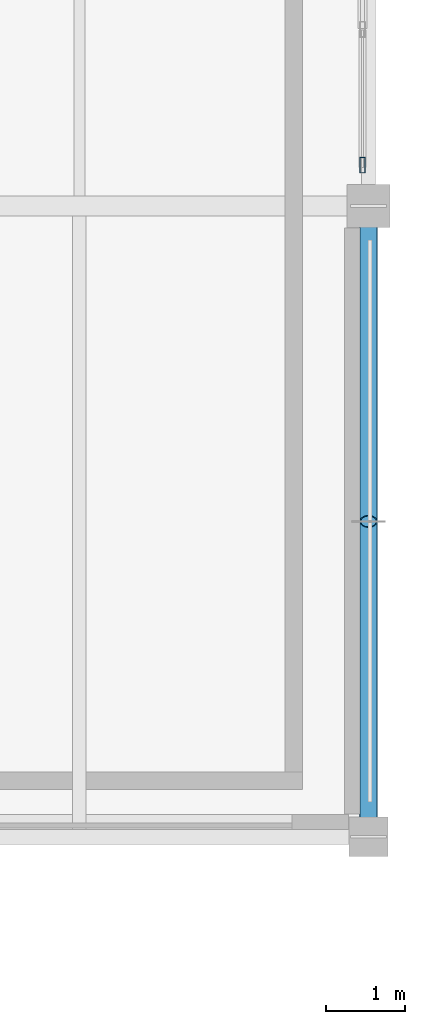
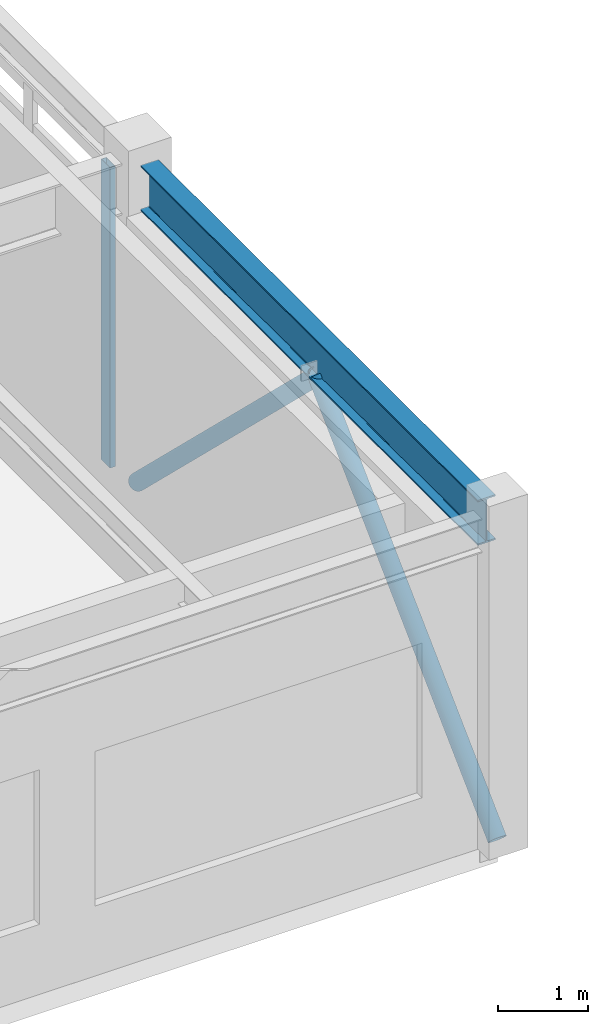
# One storey, part 142 of 200: 3 members, 1 beam, 1 element without a shape of its own.
"""IFC4 building model written with IfcOpenShell, lengths in metres."""

from ifc_helpers import new_model, si_unit, direction, frame, origin, origin_2d, place, context, subcontext, project, spatial, hollow_rectangle, hollow_circle, i_section, extrude, material, material_profile, profile_set, type_object, element, aggregate, save


model = new_model("IFC4")

# Units and contexts
model_context = context("Model", 3, precision=1e-05, world=origin(), true_north=direction((0.0, 1.0)))
body_context = subcontext(model_context, "Body", "Model", "MODEL_VIEW")
ifc_project = project(units=[si_unit("LENGTHUNIT", "METRE"), si_unit("AREAUNIT", "SQUARE_METRE"), si_unit("VOLUMEUNIT", "CUBIC_METRE"), si_unit("PLANEANGLEUNIT", "RADIAN"), si_unit("MASSUNIT", "GRAM", prefix="KILO"), si_unit("THERMODYNAMICTEMPERATUREUNIT", "KELVIN"), si_unit("POWERUNIT", "WATT")], contexts=[model_context])

# Site, building, storey
site_placement = place(None, origin())
site = spatial("IfcSite", under=ifc_project, at=site_placement, CompositionType="ELEMENT")
building_placement = place(site_placement, origin())
building = spatial("IfcBuilding", under=site, at=building_placement, Name="Tepalcoro Natatorium and Aquatics Centre", CompositionType="ELEMENT")
storey_placement = place(building_placement, frame((0.0, 0.0, 5.39990234375)))
storey = spatial("IfcBuildingStorey", under=building, at=storey_placement, Name="L01", CompositionType="ELEMENT", Elevation=5.39990234375)

# Curtain wall, member
ifc_material_1 = material(Name="Bronze-Anodised Extruded Aluminium Alloy EN AW-6063 T6", Category="aluminium")
curtain_wall_type = type_object("IfcCurtainWallType", Name="CW_LEAN_T2_NS", PredefinedType="USERDEFINED", material=ifc_material_1)
curtain_wall_placement = place(storey_placement, origin())
curtain_wall = element("IfcCurtainWall", 1, at=curtain_wall_placement, inside=storey, type_object=curtain_wall_type, Name="V5 L01 E Unitised Curtain Wall Bay 2", ObjectType="FACETED SOLAR GLAZING", PredefinedType="USERDEFINED")
ifc_material_profile_1 = material_profile(ifc_material_1, hollow_rectangle(XDim=0.070068359375, YDim=0.199951171875, WallThickness=0.0048828125, at=origin_2d()), Name="AL70X200X5")
ifc_profile_set_1 = profile_set([ifc_material_profile_1], Name="Bronze-Anodised Extruded Aluminium Alloy EN AW-6063 T6")
member_type_1 = type_object("IfcMemberType", Name="CW_MUL_70x200", PredefinedType="MULLION", material=ifc_profile_set_1)
member_placement = place(storey_placement, frame((175.923828125, 94.52001953125, 0.02001953125), z_axis=(0.0, 0.0, 1.0), x_axis=(1.0, 0.0, 0.0)))
member = element("IfcMember", 2, at=member_placement, type_object=member_type_1, Name="CW_LEAN_T2_NS Curtain Wall Mullion", PredefinedType="MULLION", context=body_context, shape_type="SweptSolid", body=[
    extrude(hollow_rectangle(XDim=0.070068359375, YDim=0.199951171875, WallThickness=0.0048828125, at=origin_2d()), origin(), (0.0, 0.0, 1.0), 4.0771484375),
])
aggregate(curtain_wall, [member])

# Members
ifc_material_2 = material(Name="Hollow Steel ASTM A500 Grade C (Fy 345 MPa)", Category="steel")
ifc_material_profile_2 = material_profile(ifc_material_2, hollow_circle(Radius=0.109619140625, WallThickness=0.011962890625, at=origin_2d()), Name="CHS219X12")
ifc_profile_set_2 = profile_set([ifc_material_profile_2], Name="Hollow Steel ASTM A500 Grade C (Fy 345 MPa)")
member_type_2 = type_object("IfcMemberType", Name="MB_BR_CHS219x12", PredefinedType="BRACE", material=ifc_profile_set_2)
for number, where, z_axis, x_axis, name in (
    (3, (176.0, 86.0, 0.050048828125), (0.0, 0.718678505774, 0.695342509371), (-1.0, 0.0, 0.0), "V5 L01 Chevron Lateral Brace"),
    (4, (176.0, 94.0, 0.050048828125), (0.0, -0.718678505774, 0.695342509371), (1.0, 0.0, 0.0), "V5 L01 Chevron Lateral Brace"),
):
    element("IfcMember", number, at=place(storey_placement, frame(where, z_axis=z_axis, x_axis=x_axis)), inside=storey, type_object=member_type_2, Name=name, PredefinedType="BRACE", context=body_context, shape_type="SweptSolid", body=[
        extrude(hollow_circle(Radius=0.109619140625, WallThickness=0.011962890625, at=origin_2d()), origin(), (0.0, 0.0, 1.0), 5.565673828125),
    ])

# Beam
ifc_material_3 = material(Name="Steel ASTM A992 Grade 50 (Fy 345 MPa)", Category="steel")
ifc_material_profile_3 = material_profile(ifc_material_3, i_section(OverallWidth=0.22900390625, OverallDepth=0.612060546875, WebThickness=0.011962890625, FlangeThickness=0.02001953125, FilletRadius=0.013916015625, at=origin_2d()), Name="W24X84")
ifc_profile_set_3 = profile_set([ifc_material_profile_3], Name="Steel ASTM A992 Grade 50 (Fy 345 MPa)")
beam_type = type_object("IfcBeamType", Name="SP_W24x84", PredefinedType="SPANDREL", material=ifc_profile_set_3)
beam_placement = place(storey_placement, frame((176.0, 86.235107421875, 4.239013671875), z_axis=(0.0, 1.0, 0.0), x_axis=(-1.0, 0.0, 0.0)))
element("IfcBeam", 5, at=beam_placement, inside=storey, type_object=beam_type, Name="V5 L01 Grid Girder Y", PredefinedType="SPANDREL", context=body_context, shape_type="SweptSolid", body=[
    extrude(i_section(OverallWidth=0.22900390625, OverallDepth=0.612060546875, WebThickness=0.011962890625, FlangeThickness=0.02001953125, FilletRadius=0.013916015625, at=origin_2d()), origin(), (0.0, 0.0, 1.0), 7.5048828125),
])

save(model, "model.ifc")
